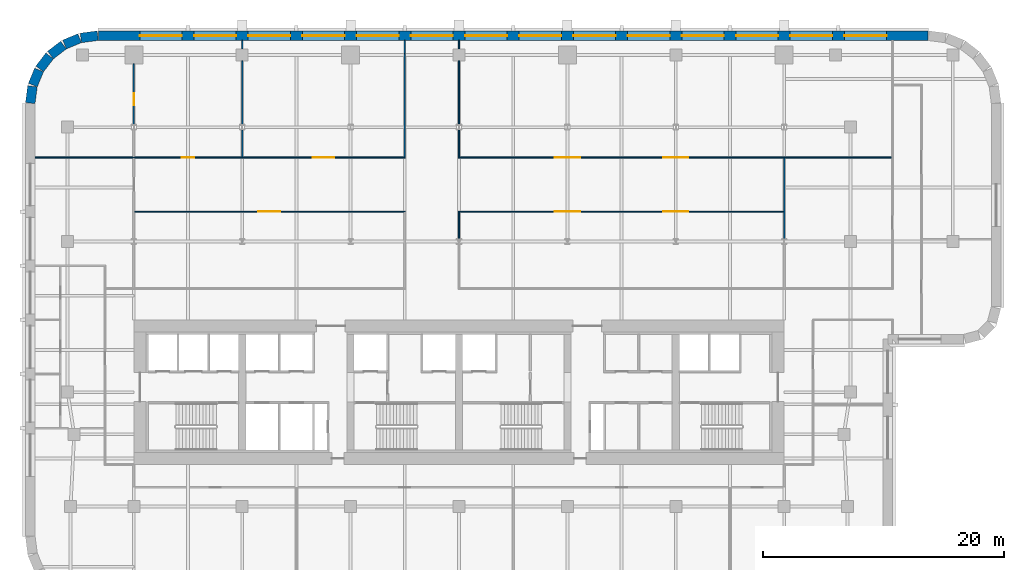
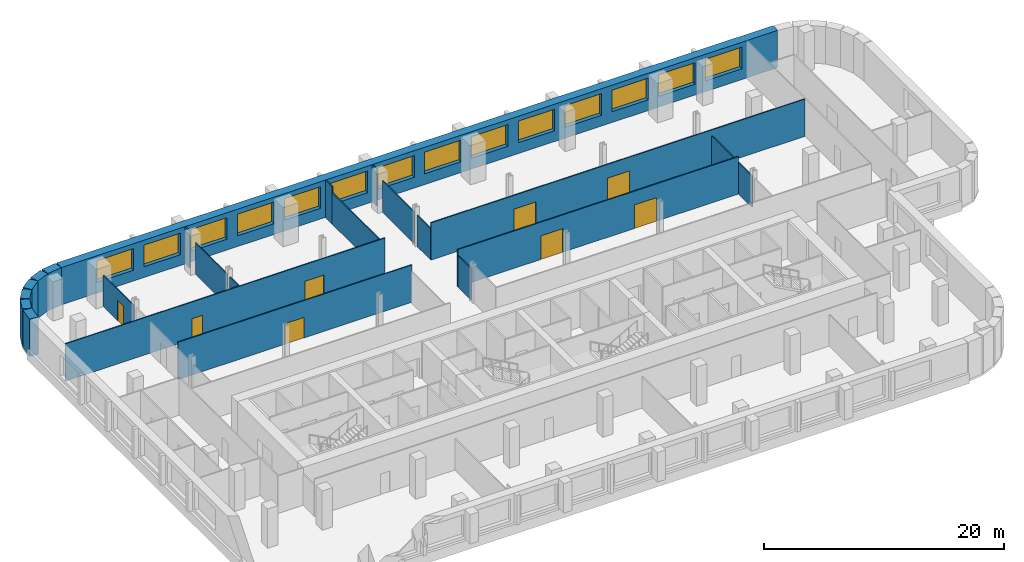
# One storey, part 6 of 10: 22 walls, 14 windows, 8 doors, 22 openings.
"""IFC4 building model written with IfcOpenShell, lengths in metres."""

from ifc_helpers import new_model, si_unit, direction, frame, frame_2d, origin, place, context, subcontext, project, spatial, rectangle, extrude, material, layer, layer_set, type_object, element, fill, save


model = new_model("IFC4")

# Units and contexts
model_context = context("Model", 3, precision=1e-05, world=origin(), true_north=direction((0.0, 1.0)))
body_context = subcontext(model_context, "Body", "Model", "MODEL_VIEW")
ifc_project = project(units=[si_unit("LENGTHUNIT", "METRE"), si_unit("AREAUNIT", "SQUARE_METRE"), si_unit("VOLUMEUNIT", "CUBIC_METRE"), si_unit("PLANEANGLEUNIT", "RADIAN"), si_unit("MASSUNIT", "GRAM", prefix="KILO")], contexts=[model_context])

# Site, building, storey
site_placement = place(None, origin())
site = spatial("IfcSite", under=ifc_project, at=site_placement, CompositionType="ELEMENT")
building_placement = place(site_placement, origin())
building = spatial("IfcBuilding", under=site, at=building_placement, Name="Zellij Exchange Tower", CompositionType="ELEMENT")
storey_placement = place(building_placement, frame((0.0, 0.0, 128.5)))
storey = spatial("IfcBuildingStorey", under=building, at=storey_placement, Name="L28", CompositionType="ELEMENT", Elevation=128.5)

# Wall, openings, windows
ifc_material_1 = material(Name="Precast concrete C40/50", Category="concrete")
ifc_layer_1 = layer(ifc_material_1, 0.800048828125)
ifc_layer_set_1 = layer_set([ifc_layer_1], Name="Precast concrete C40/50")
wall_type_1 = type_object("IfcWallType", Name="ENV-EW1 Precast stone-piered wall 800", PredefinedType="SOLIDWALL", material=ifc_layer_set_1)
wall_1_placement = place(storey_placement, frame((38.947509765625, 21.60009765625, 0.0), z_axis=(0.0, 0.0, 1.0), x_axis=(-1.0, 0.0, 0.0)))
wall_1 = element("IfcWall", 1, at=wall_1_placement, inside=storey, type_object=wall_type_1, Name="fac.L28.19", PredefinedType="SOLIDWALL", context=body_context, shape_type="SweptSolid", body=[
    extrude(rectangle(XDim=68.89501953125, YDim=0.800048828125, at=frame_2d((34.447509765625, 0.0))), origin(), (0.0, 0.0, 1.0), 3.800048828125),
])
opening_1_placement = place(wall_1_placement, frame((3.447509765625, 0.0, 1.10009765625)))
opening_1 = element("IfcOpeningElement", 2, at=opening_1_placement, cuts=wall_1, Name="Opening FZ2.17", PredefinedType="OPENING", context=body_context, shape_type="SweptSolid", body=[
    extrude(rectangle(XDim=3.5, YDim=2.199951171875, at=frame_2d((1.75, 1.10009765625))), frame((0.0, 0.412109375, 0.0), z_axis=(0.0, -1.0, 0.0), x_axis=(1.0, 0.0, 0.0)), (0.0, 0.0, 1.0), 0.823974609375),
])
opening_2_placement = place(wall_1_placement, frame((7.947509765625, 0.0, 1.10009765625)))
opening_2 = element("IfcOpeningElement", 3, at=opening_2_placement, cuts=wall_1, Name="Opening FZ2.18", PredefinedType="OPENING", context=body_context, shape_type="SweptSolid", body=[
    extrude(rectangle(XDim=3.5, YDim=2.199951171875, at=frame_2d((1.75, 1.10009765625))), frame((0.0, 0.412109375, 0.0), z_axis=(0.0, -1.0, 0.0), x_axis=(1.0, 0.0, 0.0)), (0.0, 0.0, 1.0), 0.823974609375),
])
opening_3_placement = place(wall_1_placement, frame((12.447509765625, 0.0, 1.10009765625)))
opening_3 = element("IfcOpeningElement", 4, at=opening_3_placement, cuts=wall_1, Name="Opening FZ2.19", PredefinedType="OPENING", context=body_context, shape_type="SweptSolid", body=[
    extrude(rectangle(XDim=3.5, YDim=2.199951171875, at=frame_2d((1.75, 1.10009765625))), frame((0.0, 0.412109375, 0.0), z_axis=(0.0, -1.0, 0.0), x_axis=(1.0, 0.0, 0.0)), (0.0, 0.0, 1.0), 0.823974609375),
])
opening_4_placement = place(wall_1_placement, frame((16.947509765625, 0.0, 1.10009765625)))
opening_4 = element("IfcOpeningElement", 5, at=opening_4_placement, cuts=wall_1, Name="Opening FZ2.20", PredefinedType="OPENING", context=body_context, shape_type="SweptSolid", body=[
    extrude(rectangle(XDim=3.5, YDim=2.199951171875, at=frame_2d((1.75, 1.10009765625))), frame((0.0, 0.412109375, 0.0), z_axis=(0.0, -1.0, 0.0), x_axis=(1.0, 0.0, 0.0)), (0.0, 0.0, 1.0), 0.823974609375),
])
opening_5_placement = place(wall_1_placement, frame((21.447509765625, 0.0, 1.10009765625)))
opening_5 = element("IfcOpeningElement", 6, at=opening_5_placement, cuts=wall_1, Name="Opening FZ2.21", PredefinedType="OPENING", context=body_context, shape_type="SweptSolid", body=[
    extrude(rectangle(XDim=3.5, YDim=2.199951171875, at=frame_2d((1.75, 1.10009765625))), frame((0.0, 0.412109375, 0.0), z_axis=(0.0, -1.0, 0.0), x_axis=(1.0, 0.0, 0.0)), (0.0, 0.0, 1.0), 0.823974609375),
])
opening_6_placement = place(wall_1_placement, frame((25.947509765625, 0.0, 1.10009765625)))
opening_6 = element("IfcOpeningElement", 7, at=opening_6_placement, cuts=wall_1, Name="Opening FZ2.22", PredefinedType="OPENING", context=body_context, shape_type="SweptSolid", body=[
    extrude(rectangle(XDim=3.5, YDim=2.199951171875, at=frame_2d((1.75, 1.10009765625))), frame((0.0, 0.412109375, 0.0), z_axis=(0.0, -1.0, 0.0), x_axis=(1.0, 0.0, 0.0)), (0.0, 0.0, 1.0), 0.823974609375),
])
opening_7_placement = place(wall_1_placement, frame((30.447509765625, 0.0, 1.10009765625)))
opening_7 = element("IfcOpeningElement", 8, at=opening_7_placement, cuts=wall_1, Name="Opening FZ2.23", PredefinedType="OPENING", context=body_context, shape_type="SweptSolid", body=[
    extrude(rectangle(XDim=3.5, YDim=2.199951171875, at=frame_2d((1.75, 1.10009765625))), frame((0.0, 0.412109375, 0.0), z_axis=(0.0, -1.0, 0.0), x_axis=(1.0, 0.0, 0.0)), (0.0, 0.0, 1.0), 0.823974609375),
])
opening_8_placement = place(wall_1_placement, frame((34.947509765625, 0.0, 1.10009765625)))
opening_8 = element("IfcOpeningElement", 9, at=opening_8_placement, cuts=wall_1, Name="Opening FZ2.24", PredefinedType="OPENING", context=body_context, shape_type="SweptSolid", body=[
    extrude(rectangle(XDim=3.5, YDim=2.199951171875, at=frame_2d((1.75, 1.10009765625))), frame((0.0, 0.412109375, 0.0), z_axis=(0.0, -1.0, 0.0), x_axis=(1.0, 0.0, 0.0)), (0.0, 0.0, 1.0), 0.823974609375),
])
opening_9_placement = place(wall_1_placement, frame((39.447509765625, 0.0, 1.10009765625)))
opening_9 = element("IfcOpeningElement", 10, at=opening_9_placement, cuts=wall_1, Name="Opening FZ2.25", PredefinedType="OPENING", context=body_context, shape_type="SweptSolid", body=[
    extrude(rectangle(XDim=3.5, YDim=2.199951171875, at=frame_2d((1.75, 1.10009765625))), frame((0.0, 0.412109375, 0.0), z_axis=(0.0, -1.0, 0.0), x_axis=(1.0, 0.0, 0.0)), (0.0, 0.0, 1.0), 0.823974609375),
])
opening_10_placement = place(wall_1_placement, frame((43.947509765625, 0.0, 1.10009765625)))
opening_10 = element("IfcOpeningElement", 11, at=opening_10_placement, cuts=wall_1, Name="Opening FZ2.26", PredefinedType="OPENING", context=body_context, shape_type="SweptSolid", body=[
    extrude(rectangle(XDim=3.5, YDim=2.199951171875, at=frame_2d((1.75, 1.10009765625))), frame((0.0, 0.412109375, 0.0), z_axis=(0.0, -1.0, 0.0), x_axis=(1.0, 0.0, 0.0)), (0.0, 0.0, 1.0), 0.823974609375),
])
opening_11_placement = place(wall_1_placement, frame((48.447509765625, 0.0, 1.10009765625)))
opening_11 = element("IfcOpeningElement", 12, at=opening_11_placement, cuts=wall_1, Name="Opening FZ2.27", PredefinedType="OPENING", context=body_context, shape_type="SweptSolid", body=[
    extrude(rectangle(XDim=3.5, YDim=2.199951171875, at=frame_2d((1.75, 1.10009765625))), frame((0.0, 0.412109375, 0.0), z_axis=(0.0, -1.0, 0.0), x_axis=(1.0, 0.0, 0.0)), (0.0, 0.0, 1.0), 0.823974609375),
])
opening_12_placement = place(wall_1_placement, frame((52.947509765625, 0.0, 1.10009765625)))
opening_12 = element("IfcOpeningElement", 13, at=opening_12_placement, cuts=wall_1, Name="Opening FZ2.28", PredefinedType="OPENING", context=body_context, shape_type="SweptSolid", body=[
    extrude(rectangle(XDim=3.5, YDim=2.199951171875, at=frame_2d((1.75, 1.10009765625))), frame((0.0, 0.412109375, 0.0), z_axis=(0.0, -1.0, 0.0), x_axis=(1.0, 0.0, 0.0)), (0.0, 0.0, 1.0), 0.823974609375),
])
opening_13_placement = place(wall_1_placement, frame((57.447509765625, 0.0, 1.10009765625)))
opening_13 = element("IfcOpeningElement", 14, at=opening_13_placement, cuts=wall_1, Name="Opening FZ2.29", PredefinedType="OPENING", context=body_context, shape_type="SweptSolid", body=[
    extrude(rectangle(XDim=3.5, YDim=2.199951171875, at=frame_2d((1.75, 1.10009765625))), frame((0.0, 0.412109375, 0.0), z_axis=(0.0, -1.0, 0.0), x_axis=(1.0, 0.0, 0.0)), (0.0, 0.0, 1.0), 0.823974609375),
])
opening_14_placement = place(wall_1_placement, frame((61.947509765625, 0.0, 1.10009765625)))
opening_14 = element("IfcOpeningElement", 15, at=opening_14_placement, cuts=wall_1, Name="Opening FZ2.30", PredefinedType="OPENING", context=body_context, shape_type="SweptSolid", body=[
    extrude(rectangle(XDim=3.5, YDim=2.199951171875, at=frame_2d((1.75, 1.10009765625))), frame((0.0, 0.412109375, 0.0), z_axis=(0.0, -1.0, 0.0), x_axis=(1.0, 0.0, 0.0)), (0.0, 0.0, 1.0), 0.823974609375),
])
ifc_material_2 = material(Name="Aluminium frame with insulating glass", Category="aluminium")
window_type = type_object("IfcWindowType", Name="ENV-W7 Window 3500x2200", PartitioningType="SINGLE_PANEL", PredefinedType="WINDOW", material=ifc_material_2)
window_1_placement = place(opening_1_placement, origin())
window_1 = element("IfcWindow", 16, at=window_1_placement, inside=storey, type_object=window_type, Name="Window FZ2.17", OverallHeight=2.199951171875, OverallWidth=3.5, PartitioningType="SINGLE_PANEL", PredefinedType="WINDOW", context=body_context, shape_type="SweptSolid", body=[
    extrude(rectangle(XDim=3.5, YDim=2.199951171875, at=frame_2d((1.75, 1.10009765625))), frame((0.0, 0.030029296875, 0.0), z_axis=(0.0, -1.0, 0.0), x_axis=(1.0, 0.0, 0.0)), (0.0, 0.0, 1.0), 0.06005859375),
])
fill(opening_1, window_1)
window_2_placement = place(opening_2_placement, origin())
window_2 = element("IfcWindow", 17, at=window_2_placement, inside=storey, type_object=window_type, Name="Window FZ2.18", OverallHeight=2.199951171875, OverallWidth=3.5, PartitioningType="SINGLE_PANEL", PredefinedType="WINDOW", context=body_context, shape_type="SweptSolid", body=[
    extrude(rectangle(XDim=3.5, YDim=2.199951171875, at=frame_2d((1.75, 1.10009765625))), frame((0.0, 0.030029296875, 0.0), z_axis=(0.0, -1.0, 0.0), x_axis=(1.0, 0.0, 0.0)), (0.0, 0.0, 1.0), 0.06005859375),
])
fill(opening_2, window_2)
window_3_placement = place(opening_3_placement, origin())
window_3 = element("IfcWindow", 18, at=window_3_placement, inside=storey, type_object=window_type, Name="Window FZ2.19", OverallHeight=2.199951171875, OverallWidth=3.5, PartitioningType="SINGLE_PANEL", PredefinedType="WINDOW", context=body_context, shape_type="SweptSolid", body=[
    extrude(rectangle(XDim=3.5, YDim=2.199951171875, at=frame_2d((1.75, 1.10009765625))), frame((0.0, 0.030029296875, 0.0), z_axis=(0.0, -1.0, 0.0), x_axis=(1.0, 0.0, 0.0)), (0.0, 0.0, 1.0), 0.06005859375),
])
fill(opening_3, window_3)
window_4_placement = place(opening_4_placement, origin())
window_4 = element("IfcWindow", 19, at=window_4_placement, inside=storey, type_object=window_type, Name="Window FZ2.20", OverallHeight=2.199951171875, OverallWidth=3.5, PartitioningType="SINGLE_PANEL", PredefinedType="WINDOW", context=body_context, shape_type="SweptSolid", body=[
    extrude(rectangle(XDim=3.5, YDim=2.199951171875, at=frame_2d((1.75, 1.10009765625))), frame((0.0, 0.030029296875, 0.0), z_axis=(0.0, -1.0, 0.0), x_axis=(1.0, 0.0, 0.0)), (0.0, 0.0, 1.0), 0.06005859375),
])
fill(opening_4, window_4)
window_5_placement = place(opening_5_placement, origin())
window_5 = element("IfcWindow", 20, at=window_5_placement, inside=storey, type_object=window_type, Name="Window FZ2.21", OverallHeight=2.199951171875, OverallWidth=3.5, PartitioningType="SINGLE_PANEL", PredefinedType="WINDOW", context=body_context, shape_type="SweptSolid", body=[
    extrude(rectangle(XDim=3.5, YDim=2.199951171875, at=frame_2d((1.75, 1.10009765625))), frame((0.0, 0.030029296875, 0.0), z_axis=(0.0, -1.0, 0.0), x_axis=(1.0, 0.0, 0.0)), (0.0, 0.0, 1.0), 0.06005859375),
])
fill(opening_5, window_5)
window_6_placement = place(opening_6_placement, origin())
window_6 = element("IfcWindow", 21, at=window_6_placement, inside=storey, type_object=window_type, Name="Window FZ2.22", OverallHeight=2.199951171875, OverallWidth=3.5, PartitioningType="SINGLE_PANEL", PredefinedType="WINDOW", context=body_context, shape_type="SweptSolid", body=[
    extrude(rectangle(XDim=3.5, YDim=2.199951171875, at=frame_2d((1.75, 1.10009765625))), frame((0.0, 0.030029296875, 0.0), z_axis=(0.0, -1.0, 0.0), x_axis=(1.0, 0.0, 0.0)), (0.0, 0.0, 1.0), 0.06005859375),
])
fill(opening_6, window_6)
window_7_placement = place(opening_7_placement, origin())
window_7 = element("IfcWindow", 22, at=window_7_placement, inside=storey, type_object=window_type, Name="Window FZ2.23", OverallHeight=2.199951171875, OverallWidth=3.5, PartitioningType="SINGLE_PANEL", PredefinedType="WINDOW", context=body_context, shape_type="SweptSolid", body=[
    extrude(rectangle(XDim=3.5, YDim=2.199951171875, at=frame_2d((1.75, 1.10009765625))), frame((0.0, 0.030029296875, 0.0), z_axis=(0.0, -1.0, 0.0), x_axis=(1.0, 0.0, 0.0)), (0.0, 0.0, 1.0), 0.06005859375),
])
fill(opening_7, window_7)
window_8_placement = place(opening_8_placement, origin())
window_8 = element("IfcWindow", 23, at=window_8_placement, inside=storey, type_object=window_type, Name="Window FZ2.24", OverallHeight=2.199951171875, OverallWidth=3.5, PartitioningType="SINGLE_PANEL", PredefinedType="WINDOW", context=body_context, shape_type="SweptSolid", body=[
    extrude(rectangle(XDim=3.5, YDim=2.199951171875, at=frame_2d((1.75, 1.10009765625))), frame((0.0, 0.030029296875, 0.0), z_axis=(0.0, -1.0, 0.0), x_axis=(1.0, 0.0, 0.0)), (0.0, 0.0, 1.0), 0.06005859375),
])
fill(opening_8, window_8)
window_9_placement = place(opening_9_placement, origin())
window_9 = element("IfcWindow", 24, at=window_9_placement, inside=storey, type_object=window_type, Name="Window FZ2.25", OverallHeight=2.199951171875, OverallWidth=3.5, PartitioningType="SINGLE_PANEL", PredefinedType="WINDOW", context=body_context, shape_type="SweptSolid", body=[
    extrude(rectangle(XDim=3.5, YDim=2.199951171875, at=frame_2d((1.75, 1.10009765625))), frame((0.0, 0.030029296875, 0.0), z_axis=(0.0, -1.0, 0.0), x_axis=(1.0, 0.0, 0.0)), (0.0, 0.0, 1.0), 0.06005859375),
])
fill(opening_9, window_9)
window_10_placement = place(opening_10_placement, origin())
window_10 = element("IfcWindow", 25, at=window_10_placement, inside=storey, type_object=window_type, Name="Window FZ2.26", OverallHeight=2.199951171875, OverallWidth=3.5, PartitioningType="SINGLE_PANEL", PredefinedType="WINDOW", context=body_context, shape_type="SweptSolid", body=[
    extrude(rectangle(XDim=3.5, YDim=2.199951171875, at=frame_2d((1.75, 1.10009765625))), frame((0.0, 0.030029296875, 0.0), z_axis=(0.0, -1.0, 0.0), x_axis=(1.0, 0.0, 0.0)), (0.0, 0.0, 1.0), 0.06005859375),
])
fill(opening_10, window_10)
window_11_placement = place(opening_11_placement, origin())
window_11 = element("IfcWindow", 26, at=window_11_placement, inside=storey, type_object=window_type, Name="Window FZ2.27", OverallHeight=2.199951171875, OverallWidth=3.5, PartitioningType="SINGLE_PANEL", PredefinedType="WINDOW", context=body_context, shape_type="SweptSolid", body=[
    extrude(rectangle(XDim=3.5, YDim=2.199951171875, at=frame_2d((1.75, 1.10009765625))), frame((0.0, 0.030029296875, 0.0), z_axis=(0.0, -1.0, 0.0), x_axis=(1.0, 0.0, 0.0)), (0.0, 0.0, 1.0), 0.06005859375),
])
fill(opening_11, window_11)
window_12_placement = place(opening_12_placement, origin())
window_12 = element("IfcWindow", 27, at=window_12_placement, inside=storey, type_object=window_type, Name="Window FZ2.28", OverallHeight=2.199951171875, OverallWidth=3.5, PartitioningType="SINGLE_PANEL", PredefinedType="WINDOW", context=body_context, shape_type="SweptSolid", body=[
    extrude(rectangle(XDim=3.5, YDim=2.199951171875, at=frame_2d((1.75, 1.10009765625))), frame((0.0, 0.030029296875, 0.0), z_axis=(0.0, -1.0, 0.0), x_axis=(1.0, 0.0, 0.0)), (0.0, 0.0, 1.0), 0.06005859375),
])
fill(opening_12, window_12)
window_13_placement = place(opening_13_placement, origin())
window_13 = element("IfcWindow", 28, at=window_13_placement, inside=storey, type_object=window_type, Name="Window FZ2.29", OverallHeight=2.199951171875, OverallWidth=3.5, PartitioningType="SINGLE_PANEL", PredefinedType="WINDOW", context=body_context, shape_type="SweptSolid", body=[
    extrude(rectangle(XDim=3.5, YDim=2.199951171875, at=frame_2d((1.75, 1.10009765625))), frame((0.0, 0.030029296875, 0.0), z_axis=(0.0, -1.0, 0.0), x_axis=(1.0, 0.0, 0.0)), (0.0, 0.0, 1.0), 0.06005859375),
])
fill(opening_13, window_13)
window_14_placement = place(opening_14_placement, origin())
window_14 = element("IfcWindow", 29, at=window_14_placement, inside=storey, type_object=window_type, Name="Window FZ2.30", OverallHeight=2.199951171875, OverallWidth=3.5, PartitioningType="SINGLE_PANEL", PredefinedType="WINDOW", context=body_context, shape_type="SweptSolid", body=[
    extrude(rectangle(XDim=3.5, YDim=2.199951171875, at=frame_2d((1.75, 1.10009765625))), frame((0.0, 0.030029296875, 0.0), z_axis=(0.0, -1.0, 0.0), x_axis=(1.0, 0.0, 0.0)), (0.0, 0.0, 1.0), 0.06005859375),
])
fill(opening_14, window_14)

# Walls
wall_2_placement = place(storey_placement, frame((-29.999755859375, 21.5966796875, 0.0), z_axis=(0.0, 0.0, 1.0), x_axis=(-0.99144603414, -0.130517283865, 0.0)))
element("IfcWall", 30, at=wall_2_placement, inside=storey, type_object=wall_type_1, Name="fac.L28.20", PredefinedType="SOLIDWALL", context=body_context, shape_type="SweptSolid", body=[
    extrude(rectangle(XDim=1.408447265625, YDim=0.800048828125, at=frame_2d((0.7041015625, 0.0))), origin(), (0.0, 0.0, 1.0), 3.800048828125),
])
wall_3_placement = place(storey_placement, frame((-31.497314453125, 21.3857421875, 0.0), z_axis=(0.0, 0.0, 1.0), x_axis=(-0.923847774587, -0.38276009378, 0.0)))
element("IfcWall", 31, at=wall_3_placement, inside=storey, type_object=wall_type_1, Name="fac.L28.21", PredefinedType="SOLIDWALL", context=body_context, shape_type="SweptSolid", body=[
    extrude(rectangle(XDim=1.35546875, YDim=0.800048828125, at=frame_2d((0.677734375, 0.0))), origin(), (0.0, 0.0, 1.0), 3.800048828125),
])
for number, where, z_axis, x_axis, name in (
    (32, (-32.840087890625, 20.814697265625, 0.0), (0.0, 0.0, 1.0), (-0.793272915452, -0.608866226366, 0.0), "fac.L28.22"),
    (33, (-33.9892578125, 19.91552734375, 0.0), (0.0, 0.0, 1.0), (-0.608866226366, -0.793272915452, 0.0), "fac.L28.23"),
):
    element("IfcWall", number, at=place(storey_placement, frame(where, z_axis=z_axis, x_axis=x_axis)), inside=storey, type_object=wall_type_1, Name=name, PredefinedType="SOLIDWALL", context=body_context, shape_type="SweptSolid", body=[
        extrude(rectangle(XDim=1.355712890625, YDim=0.800048828125, at=frame_2d((0.677734375, 0.0))), origin(), (0.0, 0.0, 1.0), 3.800048828125),
    ])
wall_4_placement = place(storey_placement, frame((-34.866943359375, 18.74951171875, 0.0), z_axis=(0.0, 0.0, 1.0), x_axis=(-0.38276009378, -0.923847774587, 0.0)))
element("IfcWall", 34, at=wall_4_placement, inside=storey, type_object=wall_type_1, Name="fac.L28.24", PredefinedType="SOLIDWALL", context=body_context, shape_type="SweptSolid", body=[
    extrude(rectangle(XDim=1.35546875, YDim=0.800048828125, at=frame_2d((0.677734375, 0.0))), origin(), (0.0, 0.0, 1.0), 3.800048828125),
])
wall_5_placement = place(storey_placement, frame((-35.412841796875, 17.396240234375, 0.0), z_axis=(0.0, 0.0, 1.0), x_axis=(-0.130517283865, -0.99144603414, 0.0)))
element("IfcWall", 35, at=wall_5_placement, inside=storey, type_object=wall_type_1, Name="fac.L28.25", PredefinedType="SOLIDWALL", context=body_context, shape_type="SweptSolid", body=[
    extrude(rectangle(XDim=1.408447265625, YDim=0.800048828125, at=frame_2d((0.7041015625, 0.0))), origin(), (0.0, 0.0, 1.0), 3.800048828125),
])
ifc_material_3 = material(Name="Gypsum board partition on steel studs", Category="steel")
ifc_layer_2 = layer(ifc_material_3, 0.10009765625)
ifc_layer_set_2 = layer_set([ifc_layer_2], Name="Gypsum board partition on steel studs")
wall_type_2 = type_object("IfcWallType", Name="FIT-PARTITION-100", PredefinedType="PARTITIONING", material=ifc_layer_set_2)
wall_6_placement = place(storey_placement, frame((0.0, 4.727294921875, 0.0), z_axis=(0.0, 0.0, 1.0), x_axis=(0.0, 1.0, 0.0)))
element("IfcWall", 36, at=wall_6_placement, inside=storey, type_object=wall_type_2, Name="FIT-PARTITION-100 029", PredefinedType="PARTITIONING", context=body_context, shape_type="SweptSolid", body=[
    extrude(rectangle(XDim=2.212646484375, YDim=0.10009765625, at=frame_2d((1.1064453125, 0.0))), origin(), (0.0, 0.0, 1.0), 3.18798828125),
])
wall_7_placement = place(storey_placement, frame((27.0, 4.727294921875, 0.0), z_axis=(0.0, 0.0, 1.0), x_axis=(0.0, 1.0, 0.0)))
element("IfcWall", 37, at=wall_7_placement, inside=storey, type_object=wall_type_2, Name="FIT-PARTITION-100 031", PredefinedType="PARTITIONING", context=body_context, shape_type="SweptSolid", body=[
    extrude(rectangle(XDim=6.70263671875, YDim=0.10009765625, at=frame_2d((3.351318359375, 0.0))), origin(), (0.0, 0.0, 1.0), 3.18798828125),
])

# Wall, opening, door
wall_8_placement = place(storey_placement, frame((-26.949951171875, 6.989990234375, 0.0), z_axis=(0.0, 0.0, 1.0), x_axis=(1.0, 0.0, 0.0)))
wall_8 = element("IfcWall", 38, at=wall_8_placement, inside=storey, type_object=wall_type_2, Name="FIT-PARTITION-100 036", PredefinedType="PARTITIONING", context=body_context, shape_type="SweptSolid", body=[
    extrude(rectangle(XDim=22.5, YDim=0.10009765625, at=frame_2d((11.25, 0.0))), origin(), (0.0, 0.0, 1.0), 3.800048828125),
])
opening_15_placement = place(wall_8_placement, frame((10.300048828125, 0.0, 0.0)))
opening_15 = element("IfcOpeningElement", 39, at=opening_15_placement, cuts=wall_8, Name="Opening TF.12", PredefinedType="OPENING", context=body_context, shape_type="SweptSolid", body=[
    extrude(rectangle(XDim=1.800048828125, YDim=2.10009765625, at=frame_2d((0.89990234375, 1.050048828125))), frame((0.0, 0.06201171875, 0.0), z_axis=(0.0, -1.0, 0.0), x_axis=(1.0, 0.0, 0.0)), (0.0, 0.0, 1.0), 0.1240234375),
])
ifc_material_4 = material(Name="Timber door set", Category="wood")
door_type_1 = type_object("IfcDoorType", Name="FIT-D3-DOUBLE-1800X2100", OperationType="DOUBLE_DOOR_SINGLE_SWING", PredefinedType="DOOR", material=ifc_material_4)
door_1_placement = place(opening_15_placement, origin())
door_1 = element("IfcDoor", 40, at=door_1_placement, inside=storey, type_object=door_type_1, Name="Door TF.12", OperationType="DOUBLE_DOOR_SINGLE_SWING", OverallHeight=2.10009765625, OverallWidth=1.800048828125, PredefinedType="DOOR", context=body_context, shape_type="SweptSolid", body=[
    extrude(rectangle(XDim=1.800048828125, YDim=2.10009765625, at=frame_2d((0.89990234375, 1.050048828125))), frame((0.0, 0.02490234375, 0.0), z_axis=(0.0, -1.0, 0.0), x_axis=(1.0, 0.0, 0.0)), (0.0, 0.0, 1.0), 0.050048828125),
])
fill(opening_15, door_1)

# Wall, openings, doors
wall_9_placement = place(storey_placement, frame((-0.050048828125, 6.989990234375, 0.0), z_axis=(0.0, 0.0, 1.0), x_axis=(1.0, 0.0, 0.0)))
wall_9 = element("IfcWall", 41, at=wall_9_placement, inside=storey, type_object=wall_type_2, Name="FIT-PARTITION-100 037", PredefinedType="PARTITIONING", context=body_context, shape_type="SweptSolid", body=[
    extrude(rectangle(XDim=27.0, YDim=0.10009765625, at=frame_2d((13.5, 0.0))), origin(), (0.0, 0.0, 1.0), 3.800048828125),
])
opening_16_placement = place(wall_9_placement, frame((8.0, 0.0, 0.0)))
opening_16 = element("IfcOpeningElement", 42, at=opening_16_placement, cuts=wall_9, Name="Opening TF.13", PredefinedType="OPENING", context=body_context, shape_type="SweptSolid", body=[
    extrude(rectangle(XDim=2.10009765625, YDim=2.39990234375, at=frame_2d((1.050048828125, 1.199951171875))), frame((0.0, 0.06201171875, 0.0), z_axis=(0.0, -1.0, 0.0), x_axis=(1.0, 0.0, 0.0)), (0.0, 0.0, 1.0), 0.1240234375),
])
opening_17_placement = place(wall_9_placement, frame((17.0, 0.0, 0.0)))
opening_17 = element("IfcOpeningElement", 43, at=opening_17_placement, cuts=wall_9, Name="Opening TF.14", PredefinedType="OPENING", context=body_context, shape_type="SweptSolid", body=[
    extrude(rectangle(XDim=2.10009765625, YDim=2.39990234375, at=frame_2d((1.050048828125, 1.199951171875))), frame((0.0, 0.06201171875, 0.0), z_axis=(0.0, -1.0, 0.0), x_axis=(1.0, 0.0, 0.0)), (0.0, 0.0, 1.0), 0.1240234375),
])
door_type_2 = type_object("IfcDoorType", Name="FIT-D7-ASSEMBLY-2100X2400", OperationType="DOUBLE_DOOR_SINGLE_SWING", PredefinedType="DOOR", material=ifc_material_4)
door_2_placement = place(opening_16_placement, origin())
door_2 = element("IfcDoor", 44, at=door_2_placement, inside=storey, type_object=door_type_2, Name="Door TF.13", OperationType="DOUBLE_DOOR_SINGLE_SWING", OverallHeight=2.39990234375, OverallWidth=2.10009765625, PredefinedType="DOOR", context=body_context, shape_type="SweptSolid", body=[
    extrude(rectangle(XDim=2.10009765625, YDim=2.39990234375, at=frame_2d((1.050048828125, 1.199951171875))), frame((0.0, 0.02490234375, 0.0), z_axis=(0.0, -1.0, 0.0), x_axis=(1.0, 0.0, 0.0)), (0.0, 0.0, 1.0), 0.050048828125),
])
fill(opening_16, door_2)
door_3_placement = place(opening_17_placement, origin())
door_3 = element("IfcDoor", 45, at=door_3_placement, inside=storey, type_object=door_type_2, Name="Door TF.14", OperationType="DOUBLE_DOOR_SINGLE_SWING", OverallHeight=2.39990234375, OverallWidth=2.10009765625, PredefinedType="DOOR", context=body_context, shape_type="SweptSolid", body=[
    extrude(rectangle(XDim=2.10009765625, YDim=2.39990234375, at=frame_2d((1.050048828125, 1.199951171875))), frame((0.0, 0.02490234375, 0.0), z_axis=(0.0, -1.0, 0.0), x_axis=(1.0, 0.0, 0.0)), (0.0, 0.0, 1.0), 0.050048828125),
])
fill(opening_17, door_3)

wall_10_placement = place(storey_placement, frame((-35.199951171875, 11.47998046875, 0.0), z_axis=(0.0, 0.0, 1.0), x_axis=(1.0, 0.0, 0.0)))
wall_10 = element("IfcWall", 46, at=wall_10_placement, inside=storey, type_object=wall_type_2, Name="FIT-PARTITION-100 038", PredefinedType="PARTITIONING", context=body_context, shape_type="SweptSolid", body=[
    extrude(rectangle(XDim=30.75, YDim=0.10009765625, at=frame_2d((15.375, 0.0))), origin(), (0.0, 0.0, 1.0), 3.800048828125),
])
opening_18_placement = place(wall_10_placement, frame((12.199951171875, 0.0, 0.0)))
opening_18 = element("IfcOpeningElement", 47, at=opening_18_placement, cuts=wall_10, Name="Opening TF.17", PredefinedType="OPENING", context=body_context, shape_type="SweptSolid", body=[
    extrude(rectangle(XDim=1.0, YDim=2.10009765625, at=frame_2d((0.5, 1.050048828125))), frame((0.0, 0.06201171875, 0.0), z_axis=(0.0, -1.0, 0.0), x_axis=(1.0, 0.0, 0.0)), (0.0, 0.0, 1.0), 0.1240234375),
])
opening_19_placement = place(wall_10_placement, frame((23.050048828125, 0.0, 0.0)))
opening_19 = element("IfcOpeningElement", 48, at=opening_19_placement, cuts=wall_10, Name="Opening TF.18", PredefinedType="OPENING", context=body_context, shape_type="SweptSolid", body=[
    extrude(rectangle(XDim=1.800048828125, YDim=2.10009765625, at=frame_2d((0.89990234375, 1.050048828125))), frame((0.0, 0.06201171875, 0.0), z_axis=(0.0, -1.0, 0.0), x_axis=(1.0, 0.0, 0.0)), (0.0, 0.0, 1.0), 0.1240234375),
])
door_type_3 = type_object("IfcDoorType", Name="FIT-D2-WIDE-1000X2100", OperationType="SINGLE_SWING_LEFT", PredefinedType="DOOR", material=ifc_material_4)
door_4_placement = place(opening_18_placement, origin())
door_4 = element("IfcDoor", 49, at=door_4_placement, inside=storey, type_object=door_type_3, Name="Door TF.17", OperationType="SINGLE_SWING_RIGHT", OverallHeight=2.10009765625, OverallWidth=1.0, PredefinedType="DOOR", context=body_context, shape_type="SweptSolid", body=[
    extrude(rectangle(XDim=1.0, YDim=2.10009765625, at=frame_2d((0.5, 1.050048828125))), frame((0.0, 0.02490234375, 0.0), z_axis=(0.0, -1.0, 0.0), x_axis=(1.0, 0.0, 0.0)), (0.0, 0.0, 1.0), 0.050048828125),
])
fill(opening_18, door_4)
door_5_placement = place(opening_19_placement, origin())
door_5 = element("IfcDoor", 50, at=door_5_placement, inside=storey, type_object=door_type_1, Name="Door TF.18", OperationType="DOUBLE_DOOR_SINGLE_SWING", OverallHeight=2.10009765625, OverallWidth=1.800048828125, PredefinedType="DOOR", context=body_context, shape_type="SweptSolid", body=[
    extrude(rectangle(XDim=1.800048828125, YDim=2.10009765625, at=frame_2d((0.89990234375, 1.050048828125))), frame((0.0, 0.02490234375, 0.0), z_axis=(0.0, -1.0, 0.0), x_axis=(1.0, 0.0, 0.0)), (0.0, 0.0, 1.0), 0.050048828125),
])
fill(opening_19, door_5)

# Wall, opening, door
wall_11_placement = place(storey_placement, frame((-27.0, 14.227294921875, 0.0), z_axis=(0.0, 0.0, 1.0), x_axis=(0.0, 1.0, 0.0)))
wall_11 = element("IfcWall", 51, at=wall_11_placement, inside=storey, type_object=wall_type_2, Name="FIT-PARTITION-100 040", PredefinedType="PARTITIONING", context=body_context, shape_type="SweptSolid", body=[
    extrude(rectangle(XDim=5.022705078125, YDim=0.10009765625, at=frame_2d((2.51123046875, 0.0))), origin(), (0.0, 0.0, 1.0), 3.18798828125),
])
opening_20_placement = place(wall_11_placement, frame((1.602783203125, 0.0, 0.0)))
opening_20 = element("IfcOpeningElement", 52, at=opening_20_placement, cuts=wall_11, Name="Opening TF.21", PredefinedType="OPENING", context=body_context, shape_type="SweptSolid", body=[
    extrude(rectangle(XDim=1.0, YDim=2.10009765625, at=frame_2d((0.5, 1.050048828125))), frame((0.0, 0.06201171875, 0.0), z_axis=(0.0, -1.0, 0.0), x_axis=(1.0, 0.0, 0.0)), (0.0, 0.0, 1.0), 0.1240234375),
])
door_6_placement = place(opening_20_placement, origin())
door_6 = element("IfcDoor", 53, at=door_6_placement, inside=storey, type_object=door_type_3, Name="Door TF.21", OperationType="SINGLE_SWING_RIGHT", OverallHeight=2.10009765625, OverallWidth=1.0, PredefinedType="DOOR", context=body_context, shape_type="SweptSolid", body=[
    extrude(rectangle(XDim=1.0, YDim=2.10009765625, at=frame_2d((0.5, 1.050048828125))), frame((0.0, 0.02490234375, 0.0), z_axis=(0.0, -1.0, 0.0), x_axis=(1.0, 0.0, 0.0)), (0.0, 0.0, 1.0), 0.050048828125),
])
fill(opening_20, door_6)

# Walls
wall_12_placement = place(storey_placement, frame((-18.0, 11.530029296875, 0.0), z_axis=(0.0, 0.0, 1.0), x_axis=(0.0, 1.0, 0.0)))
element("IfcWall", 54, at=wall_12_placement, inside=storey, type_object=wall_type_2, Name="FIT-PARTITION-100 041", PredefinedType="PARTITIONING", context=body_context, shape_type="SweptSolid", body=[
    extrude(rectangle(XDim=2.24267578125, YDim=0.10009765625, at=frame_2d((1.121337890625, 0.0))), origin(), (0.0, 0.0, 1.0), 3.18798828125),
])
wall_13_placement = place(storey_placement, frame((-18.0, 14.227294921875, 0.0), z_axis=(0.0, 0.0, 1.0), x_axis=(0.0, 1.0, 0.0)))
element("IfcWall", 55, at=wall_13_placement, inside=storey, type_object=wall_type_2, Name="FIT-PARTITION-100 042", PredefinedType="PARTITIONING", context=body_context, shape_type="SweptSolid", body=[
    extrude(rectangle(XDim=5.272705078125, YDim=0.10009765625, at=frame_2d((2.63623046875, 0.0))), origin(), (0.0, 0.0, 1.0), 3.18798828125),
])
wall_14_placement = place(storey_placement, frame((-18.0, 20.5, 0.0), z_axis=(0.0, 0.0, 1.0), x_axis=(0.0, 1.0, 0.0)))
element("IfcWall", 56, at=wall_14_placement, inside=storey, type_object=wall_type_2, Name="FIT-PARTITION-100 043", PredefinedType="PARTITIONING", context=body_context, shape_type="SweptSolid", body=[
    extrude(rectangle(XDim=0.699951171875, YDim=0.10009765625, at=frame_2d((0.35009765625, 0.0))), origin(), (0.0, 0.0, 1.0), 3.800048828125),
])
wall_15_placement = place(storey_placement, frame((-4.5, 11.530029296875, 0.0), z_axis=(0.0, 0.0, 1.0), x_axis=(0.0, 1.0, 0.0)))
element("IfcWall", 57, at=wall_15_placement, inside=storey, type_object=wall_type_2, Name="FIT-PARTITION-100 044", PredefinedType="PARTITIONING", context=body_context, shape_type="SweptSolid", body=[
    extrude(rectangle(XDim=8.58447265625, YDim=0.10009765625, at=frame_2d((4.292236328125, 0.0))), origin(), (0.0, 0.0, 1.0), 3.197998046875),
])
wall_16_placement = place(storey_placement, frame((-4.5, 20.114501953125, 0.0), z_axis=(0.0, 0.0, 1.0), x_axis=(0.0, 1.0, 0.0)))
element("IfcWall", 58, at=wall_16_placement, inside=storey, type_object=wall_type_2, Name="FIT-PARTITION-100 045", PredefinedType="PARTITIONING", context=body_context, shape_type="SweptSolid", body=[
    extrude(rectangle(XDim=1.08544921875, YDim=0.10009765625, at=frame_2d((0.542724609375, 0.0))), origin(), (0.0, 0.0, 1.0), 3.800048828125),
])

# Wall, openings, doors
wall_17_placement = place(storey_placement, frame((-0.050048828125, 11.47998046875, 0.0), z_axis=(0.0, 0.0, 1.0), x_axis=(1.0, 0.0, 0.0)))
wall_17 = element("IfcWall", 59, at=wall_17_placement, inside=storey, type_object=wall_type_2, Name="FIT-PARTITION-100 046", PredefinedType="PARTITIONING", context=body_context, shape_type="SweptSolid", body=[
    extrude(rectangle(XDim=36.0, YDim=0.10009765625, at=frame_2d((18.0, 0.0))), origin(), (0.0, 0.0, 1.0), 3.800048828125),
])
opening_21_placement = place(wall_17_placement, frame((8.0, 0.0, 0.0)))
opening_21 = element("IfcOpeningElement", 60, at=opening_21_placement, cuts=wall_17, Name="Opening TF.19", PredefinedType="OPENING", context=body_context, shape_type="SweptSolid", body=[
    extrude(rectangle(XDim=2.10009765625, YDim=2.39990234375, at=frame_2d((1.050048828125, 1.199951171875))), frame((0.0, 0.06201171875, 0.0), z_axis=(0.0, -1.0, 0.0), x_axis=(1.0, 0.0, 0.0)), (0.0, 0.0, 1.0), 0.1240234375),
])
opening_22_placement = place(wall_17_placement, frame((17.0, 0.0, 0.0)))
opening_22 = element("IfcOpeningElement", 61, at=opening_22_placement, cuts=wall_17, Name="Opening TF.20", PredefinedType="OPENING", context=body_context, shape_type="SweptSolid", body=[
    extrude(rectangle(XDim=2.10009765625, YDim=2.39990234375, at=frame_2d((1.050048828125, 1.199951171875))), frame((0.0, 0.06201171875, 0.0), z_axis=(0.0, -1.0, 0.0), x_axis=(1.0, 0.0, 0.0)), (0.0, 0.0, 1.0), 0.1240234375),
])
door_7_placement = place(opening_21_placement, origin())
door_7 = element("IfcDoor", 62, at=door_7_placement, inside=storey, type_object=door_type_2, Name="Door TF.19", OperationType="DOUBLE_DOOR_SINGLE_SWING", OverallHeight=2.39990234375, OverallWidth=2.10009765625, PredefinedType="DOOR", context=body_context, shape_type="SweptSolid", body=[
    extrude(rectangle(XDim=2.10009765625, YDim=2.39990234375, at=frame_2d((1.050048828125, 1.199951171875))), frame((0.0, 0.02490234375, 0.0), z_axis=(0.0, -1.0, 0.0), x_axis=(1.0, 0.0, 0.0)), (0.0, 0.0, 1.0), 0.050048828125),
])
fill(opening_21, door_7)
door_8_placement = place(opening_22_placement, origin())
door_8 = element("IfcDoor", 63, at=door_8_placement, inside=storey, type_object=door_type_2, Name="Door TF.20", OperationType="DOUBLE_DOOR_SINGLE_SWING", OverallHeight=2.39990234375, OverallWidth=2.10009765625, PredefinedType="DOOR", context=body_context, shape_type="SweptSolid", body=[
    extrude(rectangle(XDim=2.10009765625, YDim=2.39990234375, at=frame_2d((1.050048828125, 1.199951171875))), frame((0.0, 0.02490234375, 0.0), z_axis=(0.0, -1.0, 0.0), x_axis=(1.0, 0.0, 0.0)), (0.0, 0.0, 1.0), 0.050048828125),
])
fill(opening_22, door_8)

# Walls
wall_18_placement = place(storey_placement, frame((0.0, 11.530029296875, 0.0), z_axis=(0.0, 0.0, 1.0), x_axis=(0.0, 1.0, 0.0)))
element("IfcWall", 64, at=wall_18_placement, inside=storey, type_object=wall_type_2, Name="FIT-PARTITION-100 047", PredefinedType="PARTITIONING", context=body_context, shape_type="SweptSolid", body=[
    extrude(rectangle(XDim=2.24267578125, YDim=0.10009765625, at=frame_2d((1.121337890625, 0.0))), origin(), (0.0, 0.0, 1.0), 3.18798828125),
])
wall_19_placement = place(storey_placement, frame((0.0, 14.227294921875, 0.0), z_axis=(0.0, 0.0, 1.0), x_axis=(0.0, 1.0, 0.0)))
element("IfcWall", 65, at=wall_19_placement, inside=storey, type_object=wall_type_2, Name="FIT-PARTITION-100 048", PredefinedType="PARTITIONING", context=body_context, shape_type="SweptSolid", body=[
    extrude(rectangle(XDim=5.272705078125, YDim=0.10009765625, at=frame_2d((2.63623046875, 0.0))), origin(), (0.0, 0.0, 1.0), 3.18798828125),
])
wall_20_placement = place(storey_placement, frame((0.0, 20.5, 0.0), z_axis=(0.0, 0.0, 1.0), x_axis=(0.0, 1.0, 0.0)))
element("IfcWall", 66, at=wall_20_placement, inside=storey, type_object=wall_type_2, Name="FIT-PARTITION-100 049", PredefinedType="PARTITIONING", context=body_context, shape_type="SweptSolid", body=[
    extrude(rectangle(XDim=0.699951171875, YDim=0.10009765625, at=frame_2d((0.35009765625, 0.0))), origin(), (0.0, 0.0, 1.0), 3.800048828125),
])

save(model, "model.ifc")
